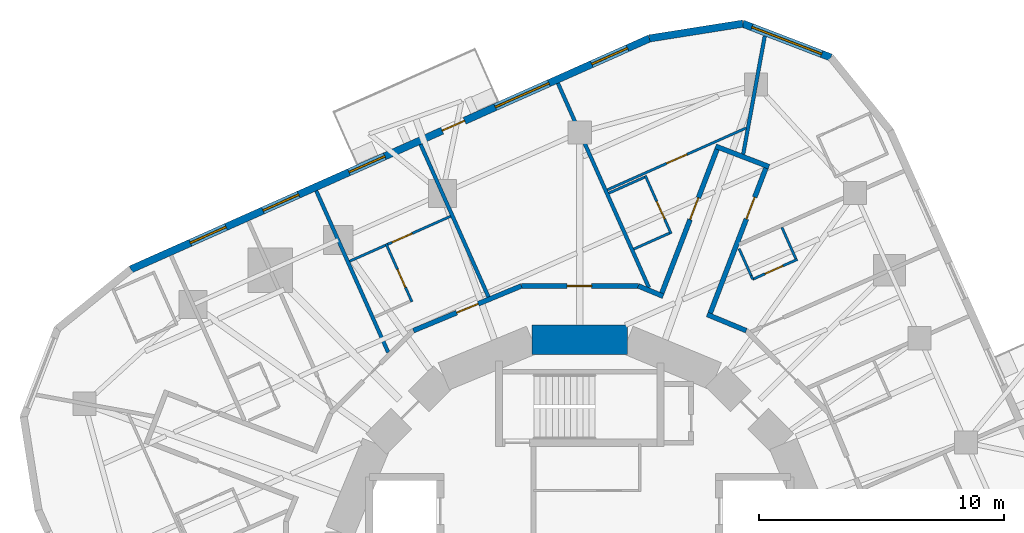
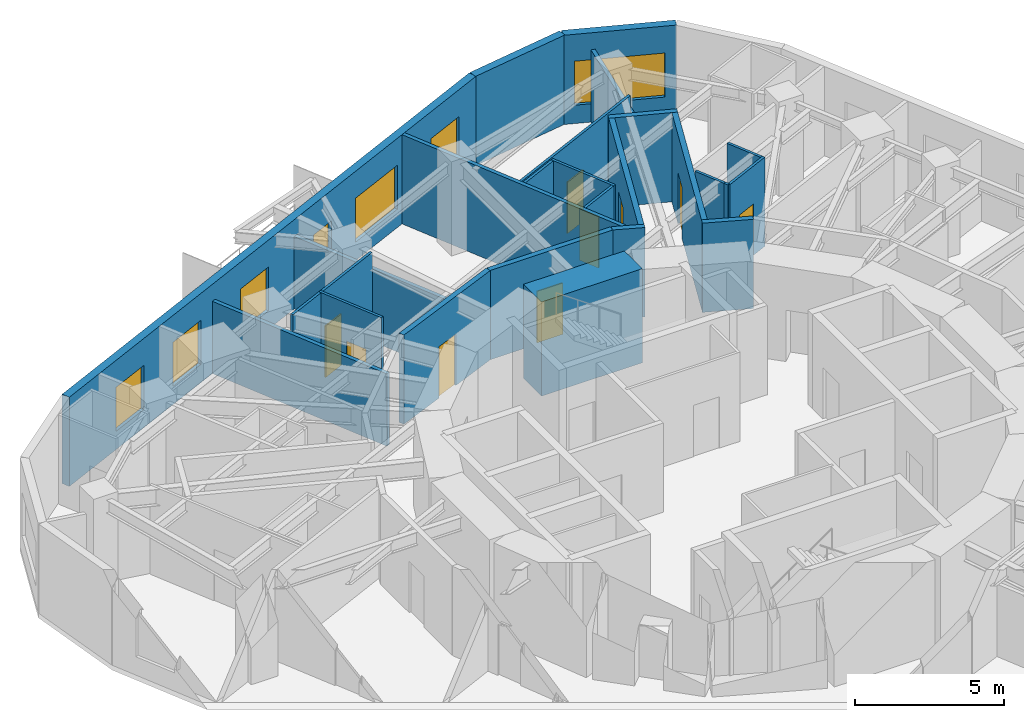
# One storey, part 9 of 12: 26 walls, 10 doors, 6 windows, 16 openings.
"""IFC4 building model written with IfcOpenShell, lengths in metres."""

from ifc_helpers import new_model, si_unit, direction, frame, frame_2d, origin, place, context, subcontext, project, spatial, rectangle, extrude, material, layer, layer_set, type_object, element, fill, save


model = new_model("IFC4")

# Units and contexts
model_context = context("Model", 3, precision=1e-05, world=origin(), true_north=direction((0.0, 1.0)))
body_context = subcontext(model_context, "Body", "Model", "MODEL_VIEW")
ifc_project = project(units=[si_unit("LENGTHUNIT", "METRE"), si_unit("AREAUNIT", "SQUARE_METRE"), si_unit("VOLUMEUNIT", "CUBIC_METRE"), si_unit("PLANEANGLEUNIT", "RADIAN"), si_unit("MASSUNIT", "GRAM", prefix="KILO")], contexts=[model_context])

# Site, building, storey
site_placement = place(None, origin())
site = spatial("IfcSite", under=ifc_project, at=site_placement, CompositionType="ELEMENT")
building_placement = place(site_placement, origin())
building = spatial("IfcBuilding", under=site, at=building_placement, Name="Nakasero Lantern House", CompositionType="ELEMENT")
storey_placement = place(building_placement, frame((0.0, 0.0, 209.39990234375)))
storey = spatial("IfcBuildingStorey", under=building, at=storey_placement, Name="L51", CompositionType="ELEMENT", Elevation=209.39990234375)

# Wall
ifc_material_1 = material(Name="Concrete C50/60", Category="concrete")
ifc_layer_1 = layer(ifc_material_1, 1.199951171875)
ifc_layer_set_1 = layer_set([ifc_layer_1], Name="Core wall 1200")
wall_type_1 = type_object("IfcWallType", Name="Core wall 1200", PredefinedType="SHEAR", material=ifc_layer_set_1)
wall_1_placement = place(storey_placement, frame((1.950927734375, 9.807861328125, 0.0), z_axis=(0.0, 0.0, 1.0), x_axis=(-1.0, 0.0, 0.0)))
element("IfcWall", 1, at=wall_1_placement, inside=storey, type_object=wall_type_1, Name="Core wall L51 facet 4", PredefinedType="SHEAR", context=body_context, shape_type="SweptSolid", body=[
    extrude(rectangle(XDim=3.90185546875, YDim=1.199951171875, at=frame_2d((1.950927734375, 0.0))), origin(), (0.0, 0.0, 1.0), 3.85009765625),
])

# Wall, opening, door
ifc_material_2 = material(Name="Blockwork", Category="masonry")
ifc_layer_2 = layer(ifc_material_2, 0.199951171875)
ifc_layer_set_2 = layer_set([ifc_layer_2], Name="Corridor wall 200")
wall_type_2 = type_object("IfcWallType", Name="Corridor wall 200", PredefinedType="PARTITIONING", material=ifc_layer_set_2)
wall_2_placement = place(storey_placement, frame((-6.802001953125, 10.1796875, 0.0), z_axis=(0.0, 0.0, 1.0), x_axis=(0.923882292998, 0.382676767893, 0.0)))
wall_2 = element("IfcWall", 2, at=wall_2_placement, inside=storey, type_object=wall_type_2, Name="Corridor wall L51 RC11a", PredefinedType="PARTITIONING", context=body_context, shape_type="SweptSolid", body=[
    extrude(rectangle(XDim=4.777099609375, YDim=0.199951171875, at=frame_2d((2.388671875, 0.0))), origin(), (0.0, 0.0, 1.0), 3.650146484375),
])
opening_1_placement = place(wall_2_placement, frame((1.919921875, 0.0, 0.0)))
opening_1 = element("IfcOpeningElement", 3, at=opening_1_placement, cuts=wall_2, Name="Opening D01", PredefinedType="OPENING", context=body_context, shape_type="SweptSolid", body=[
    extrude(rectangle(XDim=0.949951171875, YDim=2.10009765625, at=frame_2d((0.47509765625, 1.050048828125))), frame((0.0, 0.119873046875, 0.0), z_axis=(0.0, -1.0, 0.0), x_axis=(1.0, 0.0, 0.0)), (0.0, 0.0, 1.0), 0.239990234375),
])
ifc_material_3 = material(Name="Timber C24", Category="wood")
door_type_1 = type_object("IfcDoorType", Name="Bedroom door FD30S 950", OperationType="SINGLE_SWING_LEFT", PredefinedType="DOOR", material=ifc_material_3)
door_1_placement = place(opening_1_placement, origin())
door_1 = element("IfcDoor", 4, at=door_1_placement, inside=storey, type_object=door_type_1, Name="Door L51 D1-03", OperationType="SINGLE_SWING_RIGHT", OverallHeight=2.10009765625, OverallWidth=0.949951171875, PredefinedType="DOOR", context=body_context, shape_type="SweptSolid", body=[
    extrude(rectangle(XDim=0.949951171875, YDim=2.10009765625, at=frame_2d((0.47509765625, 1.050048828125))), frame((0.0, 0.02490234375, 0.0), z_axis=(0.0, -1.0, 0.0), x_axis=(1.0, 0.0, 0.0)), (0.0, 0.0, 1.0), 0.050048828125),
])
fill(opening_1, door_1)

wall_3_placement = place(storey_placement, frame((-2.388427734375, 12.0078125, 0.0), z_axis=(0.0, 0.0, 1.0), x_axis=(1.0, 0.0, 0.0)))
wall_3 = element("IfcWall", 5, at=wall_3_placement, inside=storey, type_object=wall_type_2, Name="Corridor wall L51 RC12a", PredefinedType="PARTITIONING", context=body_context, shape_type="SweptSolid", body=[
    extrude(rectangle(XDim=4.77685546875, YDim=0.199951171875, at=frame_2d((2.388427734375, 0.0))), origin(), (0.0, 0.0, 1.0), 3.650146484375),
])
opening_2_placement = place(wall_3_placement, frame((1.8701171875, 0.0, 0.0)))
opening_2 = element("IfcOpeningElement", 6, at=opening_2_placement, cuts=wall_3, Name="Opening D03", PredefinedType="OPENING", context=body_context, shape_type="SweptSolid", body=[
    extrude(rectangle(XDim=1.0, YDim=2.10009765625, at=frame_2d((0.5, 1.050048828125))), frame((0.0, 0.119873046875, 0.0), z_axis=(0.0, -1.0, 0.0), x_axis=(1.0, 0.0, 0.0)), (0.0, 0.0, 1.0), 0.239990234375),
])
ifc_material_4 = material(Name="Timber C24", Category="wood")
door_type_2 = type_object("IfcDoorType", Name="Lounge door FD30S 1000", OperationType="SINGLE_SWING_LEFT", PredefinedType="DOOR", material=ifc_material_4)
door_2_placement = place(opening_2_placement, origin())
door_2 = element("IfcDoor", 7, at=door_2_placement, inside=storey, type_object=door_type_2, Name="Door L51 DK1", OperationType="SINGLE_SWING_LEFT", OverallHeight=2.10009765625, OverallWidth=1.0, PredefinedType="DOOR", context=body_context, shape_type="SweptSolid", body=[
    extrude(rectangle(XDim=1.0, YDim=2.10009765625, at=frame_2d((0.5, 1.050048828125))), frame((0.0, 0.02490234375, 0.0), z_axis=(0.0, -1.0, 0.0), x_axis=(1.0, 0.0, 0.0)), (0.0, 0.0, 1.0), 0.050048828125),
])
fill(opening_2, door_2)

# Walls
wall_4_placement = place(storey_placement, frame((2.388427734375, 12.0078125, 0.0), z_axis=(0.0, 0.0, 1.0), x_axis=(0.923892830031, -0.382651327736, 0.0)))
element("IfcWall", 8, at=wall_4_placement, inside=storey, type_object=wall_type_2, Name="Corridor wall L51 RC13a", PredefinedType="PARTITIONING", context=body_context, shape_type="SweptSolid", body=[
    extrude(rectangle(XDim=1.103759765625, YDim=0.199951171875, at=frame_2d((0.5517578125, 0.0))), origin(), (0.0, 0.0, 1.0), 3.650146484375),
])
wall_5_placement = place(storey_placement, frame((5.201171875, 10.8427734375, 0.0), z_axis=(0.0, 0.0, 1.0), x_axis=(0.923879449244, -0.382683633391, 0.0)))
element("IfcWall", 9, at=wall_5_placement, inside=storey, type_object=wall_type_2, Name="Corridor wall L51 RC13b", PredefinedType="PARTITIONING", context=body_context, shape_type="SweptSolid", body=[
    extrude(rectangle(XDim=1.732666015625, YDim=0.199951171875, at=frame_2d((0.8662109375, 0.0))), origin(), (0.0, 0.0, 1.0), 3.650146484375),
])

# Wall, opening, door
wall_6_placement = place(storey_placement, frame((5.293701171875, 10.804443359375, 0.0), z_axis=(0.0, 0.0, 1.0), x_axis=(0.358353547616, 0.933585954752, 0.0)))
wall_6 = element("IfcWall", 10, at=wall_6_placement, inside=storey, type_object=wall_type_2, Name="Corridor wall L51 SP0a", PredefinedType="PARTITIONING", context=body_context, shape_type="SweptSolid", body=[
    extrude(rectangle(XDim=6.643798828125, YDim=0.199951171875, at=frame_2d((3.32177734375, 0.0))), origin(), (0.0, 0.0, 1.0), 3.650146484375),
])
opening_3_placement = place(wall_6_placement, frame((4.219970703125, 0.0, 0.0)))
opening_3 = element("IfcOpeningElement", 11, at=opening_3_placement, cuts=wall_6, Name="Opening D01", PredefinedType="OPENING", context=body_context, shape_type="SweptSolid", body=[
    extrude(rectangle(XDim=0.949951171875, YDim=2.10009765625, at=frame_2d((0.47509765625, 1.050048828125))), frame((0.0, 0.119873046875, 0.0), z_axis=(0.0, -1.0, 0.0), x_axis=(1.0, 0.0, 0.0)), (0.0, 0.0, 1.0), 0.239990234375),
])
door_3_placement = place(opening_3_placement, origin())
door_3 = element("IfcDoor", 12, at=door_3_placement, inside=storey, type_object=door_type_1, Name="Door L51 D0-06", OperationType="SINGLE_SWING_RIGHT", OverallHeight=2.10009765625, OverallWidth=0.949951171875, PredefinedType="DOOR", context=body_context, shape_type="SweptSolid", body=[
    extrude(rectangle(XDim=0.949951171875, YDim=2.10009765625, at=frame_2d((0.47509765625, 1.050048828125))), frame((0.0, 0.02490234375, 0.0), z_axis=(0.0, -1.0, 0.0), x_axis=(1.0, 0.0, 0.0)), (0.0, 0.0, 1.0), 0.050048828125),
])
fill(opening_3, door_3)

wall_7_placement = place(storey_placement, frame((3.31591796875, 11.623779296875, 0.0), z_axis=(0.0, 0.0, 1.0), x_axis=(0.358370568903, 0.933579421016, 0.0)))
wall_7 = element("IfcWall", 13, at=wall_7_placement, inside=storey, type_object=wall_type_2, Name="Corridor wall L51 SP0b", PredefinedType="PARTITIONING", context=body_context, shape_type="SweptSolid", body=[
    extrude(rectangle(XDim=6.587646484375, YDim=0.199951171875, at=frame_2d((3.2939453125, 0.0))), origin(), (0.0, 0.0, 1.0), 3.650146484375),
])
opening_4_placement = place(wall_7_placement, frame((3.320068359375, 0.0, 0.0)))
opening_4 = element("IfcOpeningElement", 14, at=opening_4_placement, cuts=wall_7, Name="Opening D01", PredefinedType="OPENING", context=body_context, shape_type="SweptSolid", body=[
    extrude(rectangle(XDim=0.949951171875, YDim=2.10009765625, at=frame_2d((0.47509765625, 1.050048828125))), frame((0.0, 0.119873046875, 0.0), z_axis=(0.0, -1.0, 0.0), x_axis=(1.0, 0.0, 0.0)), (0.0, 0.0, 1.0), 0.239990234375),
])
door_4_placement = place(opening_4_placement, origin())
door_4 = element("IfcDoor", 15, at=door_4_placement, inside=storey, type_object=door_type_1, Name="Door L51 D1-00", OperationType="SINGLE_SWING_RIGHT", OverallHeight=2.10009765625, OverallWidth=0.949951171875, PredefinedType="DOOR", context=body_context, shape_type="SweptSolid", body=[
    extrude(rectangle(XDim=0.949951171875, YDim=2.10009765625, at=frame_2d((0.47509765625, 1.050048828125))), frame((0.0, 0.02490234375, 0.0), z_axis=(0.0, -1.0, 0.0), x_axis=(1.0, 0.0, 0.0)), (0.0, 0.0, 1.0), 0.050048828125),
])
fill(opening_4, door_4)

# Wall
wall_8_placement = place(storey_placement, frame((7.73193359375, 16.8779296875, 0.0), z_axis=(0.0, 0.0, 1.0), x_axis=(-0.933573982139, 0.35838473722, 0.0)))
element("IfcWall", 16, at=wall_8_placement, inside=storey, type_object=wall_type_2, Name="Corridor wall L51 SP0e", PredefinedType="PARTITIONING", context=body_context, shape_type="SweptSolid", body=[
    extrude(rectangle(XDim=2.340087890625, YDim=0.199951171875, at=frame_2d((1.169921875, 0.0))), origin(), (0.0, 0.0, 1.0), 3.650146484375),
])

# Wall, opening, door
ifc_material_5 = material(Name="Blockwork", Category="masonry")
ifc_layer_3 = layer(ifc_material_5, 0.10009765625)
ifc_layer_set_3 = layer_set([ifc_layer_3], Name="En-suite wall 100")
wall_type_3 = type_object("IfcWallType", Name="En-suite wall 100", PredefinedType="PARTITIONING", material=ifc_layer_set_3)
wall_9_placement = place(storey_placement, frame((7.0654296875, 12.280029296875, 0.0), z_axis=(0.0, 0.0, 1.0), x_axis=(0.913529410294, 0.406772684097, 0.0)))
wall_9 = element("IfcWall", 17, at=wall_9_placement, inside=storey, type_object=wall_type_3, Name="En-suite wall L51 ES0-05", PredefinedType="PARTITIONING", context=body_context, shape_type="SweptSolid", body=[
    extrude(rectangle(XDim=1.999755859375, YDim=0.10009765625, at=frame_2d((1.0, 0.0))), origin(), (0.0, 0.0, 1.0), 3.650146484375),
])
opening_5_placement = place(wall_9_placement, frame((0.550048828125, 0.0, 0.0)))
opening_5 = element("IfcOpeningElement", 18, at=opening_5_placement, cuts=wall_9, Name="Opening D02", PredefinedType="OPENING", context=body_context, shape_type="SweptSolid", body=[
    extrude(rectangle(XDim=0.800048828125, YDim=2.10009765625, at=frame_2d((0.39990234375, 1.050048828125))), frame((0.0, 0.070068359375, 0.0), z_axis=(0.0, -1.0, 0.0), x_axis=(1.0, 0.0, 0.0)), (0.0, 0.0, 1.0), 0.14013671875),
])
ifc_material_6 = material(Name="Timber C24", Category="wood")
door_type_3 = type_object("IfcDoorType", Name="En-suite door 800", OperationType="SINGLE_SWING_RIGHT", PredefinedType="DOOR", material=ifc_material_6)
door_5_placement = place(opening_5_placement, origin())
door_5 = element("IfcDoor", 19, at=door_5_placement, inside=storey, type_object=door_type_3, Name="Door L51 DE0-05", OperationType="SINGLE_SWING_LEFT", OverallHeight=2.10009765625, OverallWidth=0.800048828125, PredefinedType="DOOR", context=body_context, shape_type="SweptSolid", body=[
    extrude(rectangle(XDim=0.800048828125, YDim=2.10009765625, at=frame_2d((0.39990234375, 1.050048828125))), frame((0.0, 0.02490234375, 0.0), z_axis=(0.0, -1.0, 0.0), x_axis=(1.0, 0.0, 0.0)), (0.0, 0.0, 1.0), 0.050048828125),
])
fill(opening_5, door_5)

# Wall
wall_10_placement = place(storey_placement, frame((8.826416015625, 13.118896484375, 0.0), z_axis=(0.0, 0.0, 1.0), x_axis=(-0.406656150203, 0.91358129113, 0.0)))
element("IfcWall", 20, at=wall_10_placement, inside=storey, type_object=wall_type_3, Name="En-suite wall L51 EE0-05", PredefinedType="PARTITIONING", context=body_context, shape_type="SweptSolid", body=[
    extrude(rectangle(XDim=1.400146484375, YDim=0.10009765625, at=frame_2d((0.7001953125, 0.0))), origin(), (0.0, 0.0, 1.0), 3.650146484375),
])

# Wall, opening, door
wall_11_placement = place(storey_placement, frame((3.731689453125, 14.14013671875, 0.0), z_axis=(0.0, 0.0, 1.0), x_axis=(-0.406765646974, 0.913532543723, 0.0)))
wall_11 = element("IfcWall", 21, at=wall_11_placement, inside=storey, type_object=wall_type_3, Name="En-suite wall L51 ES1-00", PredefinedType="PARTITIONING", context=body_context, shape_type="SweptSolid", body=[
    extrude(rectangle(XDim=2.60009765625, YDim=0.10009765625, at=frame_2d((1.300048828125, 0.0))), origin(), (0.0, 0.0, 1.0), 3.650146484375),
])
opening_6_placement = place(wall_11_placement, frame((0.64990234375, 0.0, 0.0)))
opening_6 = element("IfcOpeningElement", 22, at=opening_6_placement, cuts=wall_11, Name="Opening D02", PredefinedType="OPENING", context=body_context, shape_type="SweptSolid", body=[
    extrude(rectangle(XDim=0.800048828125, YDim=2.10009765625, at=frame_2d((0.39990234375, 1.050048828125))), frame((0.0, 0.070068359375, 0.0), z_axis=(0.0, -1.0, 0.0), x_axis=(1.0, 0.0, 0.0)), (0.0, 0.0, 1.0), 0.14013671875),
])
door_6_placement = place(opening_6_placement, origin())
door_6 = element("IfcDoor", 23, at=door_6_placement, inside=storey, type_object=door_type_3, Name="Door L51 DE1-00", OperationType="SINGLE_SWING_LEFT", OverallHeight=2.10009765625, OverallWidth=0.800048828125, PredefinedType="DOOR", context=body_context, shape_type="SweptSolid", body=[
    extrude(rectangle(XDim=0.800048828125, YDim=2.10009765625, at=frame_2d((0.39990234375, 1.050048828125))), frame((0.0, 0.02490234375, 0.0), z_axis=(0.0, -1.0, 0.0), x_axis=(1.0, 0.0, 0.0)), (0.0, 0.0, 1.0), 0.050048828125),
])
fill(opening_6, door_6)

# Walls
wall_12_placement = place(storey_placement, frame((2.648681640625, 16.449462890625, 0.0), z_axis=(0.0, 0.0, 1.0), x_axis=(-0.913521878409, -0.40678959877, 0.0)))
element("IfcWall", 24, at=wall_12_placement, inside=storey, type_object=wall_type_3, Name="En-suite wall L51 EE1-00", PredefinedType="PARTITIONING", context=body_context, shape_type="SweptSolid", body=[
    extrude(rectangle(XDim=1.60009765625, YDim=0.10009765625, at=frame_2d((0.800048828125, 0.0))), origin(), (0.0, 0.0, 1.0), 3.650146484375),
])
wall_13_placement = place(storey_placement, frame((3.66552734375, 14.16552734375, 0.0), z_axis=(0.0, 0.0, 1.0), x_axis=(-0.913578575067, -0.406662251972, 0.0)))
element("IfcWall", 25, at=wall_13_placement, inside=storey, type_object=wall_type_3, Name="En-suite wall L51 EI1-00", PredefinedType="PARTITIONING", context=body_context, shape_type="SweptSolid", body=[
    extrude(rectangle(XDim=1.599853515625, YDim=0.10009765625, at=frame_2d((0.7998046875, 0.0))), origin(), (0.0, 0.0, 1.0), 3.650146484375),
])

# Wall, opening, door
wall_14_placement = place(storey_placement, frame((-6.8603515625, 11.3583984375, 0.0), z_axis=(0.0, 0.0, 1.0), x_axis=(-0.406765646974, 0.913532543723, 0.0)))
wall_14 = element("IfcWall", 26, at=wall_14_placement, inside=storey, type_object=wall_type_3, Name="En-suite wall L51 ES1-03", PredefinedType="PARTITIONING", context=body_context, shape_type="SweptSolid", body=[
    extrude(rectangle(XDim=2.60009765625, YDim=0.10009765625, at=frame_2d((1.300048828125, 0.0))), origin(), (0.0, 0.0, 1.0), 3.650146484375),
])
opening_7_placement = place(wall_14_placement, frame((0.64990234375, 0.0, 0.0)))
opening_7 = element("IfcOpeningElement", 27, at=opening_7_placement, cuts=wall_14, Name="Opening D02", PredefinedType="OPENING", context=body_context, shape_type="SweptSolid", body=[
    extrude(rectangle(XDim=0.800048828125, YDim=2.10009765625, at=frame_2d((0.39990234375, 1.050048828125))), frame((0.0, 0.070068359375, 0.0), z_axis=(0.0, -1.0, 0.0), x_axis=(1.0, 0.0, 0.0)), (0.0, 0.0, 1.0), 0.14013671875),
])
door_7_placement = place(opening_7_placement, origin())
door_7 = element("IfcDoor", 28, at=door_7_placement, inside=storey, type_object=door_type_3, Name="Door L51 DE1-03", OperationType="SINGLE_SWING_LEFT", OverallHeight=2.10009765625, OverallWidth=0.800048828125, PredefinedType="DOOR", context=body_context, shape_type="SweptSolid", body=[
    extrude(rectangle(XDim=0.800048828125, YDim=2.10009765625, at=frame_2d((0.39990234375, 1.050048828125))), frame((0.0, 0.02490234375, 0.0), z_axis=(0.0, -1.0, 0.0), x_axis=(1.0, 0.0, 0.0)), (0.0, 0.0, 1.0), 0.050048828125),
])
fill(opening_7, door_7)

# Wall
wall_15_placement = place(storey_placement, frame((-7.943359375, 13.66748046875, 0.0), z_axis=(0.0, 0.0, 1.0), x_axis=(-0.913578575067, -0.406662251972, 0.0)))
element("IfcWall", 29, at=wall_15_placement, inside=storey, type_object=wall_type_3, Name="En-suite wall L51 EE1-03", PredefinedType="PARTITIONING", context=body_context, shape_type="SweptSolid", body=[
    extrude(rectangle(XDim=1.599853515625, YDim=0.10009765625, at=frame_2d((0.7998046875, 0.0))), origin(), (0.0, 0.0, 1.0), 3.650146484375),
])

# Wall, opening, door
wall_16_placement = place(storey_placement, frame((6.79443359375, 18.45947265625, 0.0), z_axis=(0.0, 0.0, 1.0), x_axis=(-0.9135501304, -0.406726147728, 0.0)))
wall_16 = element("IfcWall", 30, at=wall_16_placement, inside=storey, type_object=wall_type_3, Name="En-suite wall L51 EL1-00", PredefinedType="PARTITIONING", context=body_context, shape_type="SweptSolid", body=[
    extrude(rectangle(XDim=6.204833984375, YDim=0.10009765625, at=frame_2d((3.1025390625, 0.0))), origin(), (0.0, 0.0, 1.0), 3.650146484375),
])
opening_8_placement = place(wall_16_placement, frame((2.65234375, 0.0, 0.0)))
opening_8 = element("IfcOpeningElement", 31, at=opening_8_placement, cuts=wall_16, Name="Opening D17", PredefinedType="OPENING", context=body_context, shape_type="SweptSolid", body=[
    extrude(rectangle(XDim=0.89990234375, YDim=2.10009765625, at=frame_2d((0.449951171875, 1.050048828125))), frame((0.0, 0.070068359375, 0.0), z_axis=(0.0, -1.0, 0.0), x_axis=(1.0, 0.0, 0.0)), (0.0, 0.0, 1.0), 0.14013671875),
])
ifc_material_7 = material(Name="Timber C24", Category="wood")
door_type_4 = type_object("IfcDoorType", Name="Bedroom door FD30S 900", OperationType="SINGLE_SWING_LEFT", PredefinedType="DOOR", material=ifc_material_7)
door_8_placement = place(opening_8_placement, origin())
door_8 = element("IfcDoor", 32, at=door_8_placement, inside=storey, type_object=door_type_4, Name="Door L51 DL1-00", OperationType="SINGLE_SWING_LEFT", OverallHeight=2.10009765625, OverallWidth=0.89990234375, PredefinedType="DOOR", context=body_context, shape_type="SweptSolid", body=[
    extrude(rectangle(XDim=0.89990234375, YDim=2.10009765625, at=frame_2d((0.449951171875, 1.050048828125))), frame((0.0, 0.02490234375, 0.0), z_axis=(0.0, -1.0, 0.0), x_axis=(1.0, 0.0, 0.0)), (0.0, 0.0, 1.0), 0.050048828125),
])
fill(opening_8, door_8)

wall_17_placement = place(storey_placement, frame((-5.280029296875, 14.853271484375, 0.0), z_axis=(0.0, 0.0, 1.0), x_axis=(-0.913561058639, -0.406701600856, 0.0)))
wall_17 = element("IfcWall", 33, at=wall_17_placement, inside=storey, type_object=wall_type_3, Name="En-suite wall L51 EL1-03", PredefinedType="PARTITIONING", context=body_context, shape_type="SweptSolid", body=[
    extrude(rectangle(XDim=2.8154296875, YDim=0.10009765625, at=frame_2d((1.40771484375, 0.0))), origin(), (0.0, 0.0, 1.0), 3.650146484375),
])
opening_9_placement = place(wall_17_placement, frame((1.71533203125, 0.0, 0.0)))
opening_9 = element("IfcOpeningElement", 34, at=opening_9_placement, cuts=wall_17, Name="Opening D17", PredefinedType="OPENING", context=body_context, shape_type="SweptSolid", body=[
    extrude(rectangle(XDim=0.89990234375, YDim=2.10009765625, at=frame_2d((0.449951171875, 1.050048828125))), frame((0.0, 0.070068359375, 0.0), z_axis=(0.0, -1.0, 0.0), x_axis=(1.0, 0.0, 0.0)), (0.0, 0.0, 1.0), 0.14013671875),
])
door_9_placement = place(opening_9_placement, origin())
door_9 = element("IfcDoor", 35, at=door_9_placement, inside=storey, type_object=door_type_4, Name="Door L51 DL1-03", OperationType="SINGLE_SWING_RIGHT", OverallHeight=2.10009765625, OverallWidth=0.89990234375, PredefinedType="DOOR", context=body_context, shape_type="SweptSolid", body=[
    extrude(rectangle(XDim=0.89990234375, YDim=2.10009765625, at=frame_2d((0.449951171875, 1.050048828125))), frame((0.0, 0.02490234375, 0.0), z_axis=(0.0, -1.0, 0.0), x_axis=(1.0, 0.0, 0.0)), (0.0, 0.0, 1.0), 0.050048828125),
])
fill(opening_9, door_9)

# Walls
wall_18_placement = place(storey_placement, frame((6.510009765625, 13.527099609375, 0.0), z_axis=(0.0, 0.0, 1.0), x_axis=(0.406815070933, -0.913510535277, 0.0)))
element("IfcWall", 36, at=wall_18_placement, inside=storey, type_object=wall_type_3, Name="En-suite wall L51 EX000", PredefinedType="PARTITIONING", context=body_context, shape_type="SweptSolid", body=[
    extrude(rectangle(XDim=1.205078125, YDim=0.10009765625, at=frame_2d((0.6025390625, 0.0))), origin(), (0.0, 0.0, 1.0), 3.650146484375),
])
wall_19_placement = place(storey_placement, frame((7.0654296875, 12.280029296875, 0.0), z_axis=(0.0, 0.0, 1.0), x_axis=(-0.407128578538, 0.913370855971, 0.0)))
element("IfcWall", 37, at=wall_19_placement, inside=storey, type_object=wall_type_3, Name="En-suite wall L51 ES0-05R0", PredefinedType="PARTITIONING", context=body_context, shape_type="SweptSolid", body=[
    extrude(rectangle(XDim=0.16015625, YDim=0.10009765625, at=frame_2d((0.080078125, 0.0))), origin(), (0.0, 0.0, 1.0), 3.650146484375),
])

# Wall, opening, window
ifc_material_8 = material(Name="Aluminium rainscreen on blockwork", Category="masonry")
ifc_layer_4 = layer(ifc_material_8, 0.300048828125)
ifc_layer_set_4 = layer_set([ifc_layer_4], Name="Facade wall 300")
wall_type_4 = type_object("IfcWallType", Name="Facade wall 300", PredefinedType="SOLIDWALL", material=ifc_layer_set_4)
wall_20_placement = place(storey_placement, frame((10.258056640625, 21.342529296875, 0.0), z_axis=(0.0, 0.0, 1.0), x_axis=(-0.933598278948, 0.358321438858, 0.0)))
wall_20 = element("IfcWall", 38, at=wall_20_placement, inside=storey, type_object=wall_type_4, Name="Facade wall L51 FW0C2", PredefinedType="SOLIDWALL", context=body_context, shape_type="SweptSolid", body=[
    extrude(rectangle(XDim=3.8564453125, YDim=0.300048828125, at=frame_2d((1.92822265625, 0.0))), origin(), (0.0, 0.0, 1.0), 3.650146484375),
])
opening_10_placement = place(wall_20_placement, frame((0.39990234375, 0.0, 0.75)))
opening_10 = element("IfcOpeningElement", 39, at=opening_10_placement, cuts=wall_20, Name="Opening W230", PredefinedType="OPENING", context=body_context, shape_type="SweptSolid", body=[
    extrude(rectangle(XDim=3.055908203125, YDim=1.800048828125, at=frame_2d((1.52783203125, 0.89990234375))), frame((0.0, 0.169921875, 0.0), z_axis=(0.0, -1.0, 0.0), x_axis=(1.0, 0.0, 0.0)), (0.0, 0.0, 1.0), 0.340087890625),
])
ifc_material_9 = material(Name="Aluminium 6063-T6 and glass", Category="aluminium")
window_type_1 = type_object("IfcWindowType", Name="Corner window 3056x1800", PartitioningType="SINGLE_PANEL", PredefinedType="WINDOW", material=ifc_material_9)
window_1_placement = place(opening_10_placement, origin())
window_1 = element("IfcWindow", 40, at=window_1_placement, inside=storey, type_object=window_type_1, Name="Window L51 WC0", OverallHeight=1.800048828125, OverallWidth=3.055908203125, PartitioningType="SINGLE_PANEL", PredefinedType="WINDOW", context=body_context, shape_type="SweptSolid", body=[
    extrude(rectangle(XDim=3.055908203125, YDim=1.800048828125, at=frame_2d((1.52783203125, 0.89990234375))), frame((0.0, 0.030029296875, 0.0), z_axis=(0.0, -1.0, 0.0), x_axis=(1.0, 0.0, 0.0)), (0.0, 0.0, 1.0), 0.06005859375),
])
fill(opening_10, window_1)

# Wall
wall_21_placement = place(storey_placement, frame((6.65771484375, 22.724365234375, 0.0), z_axis=(0.0, 0.0, 1.0), x_axis=(-0.987687906802, -0.156437203878, 0.0)))
element("IfcWall", 41, at=wall_21_placement, inside=storey, type_object=wall_type_4, Name="Facade wall L51 FW0C3", PredefinedType="SOLIDWALL", context=body_context, shape_type="SweptSolid", body=[
    extrude(rectangle(XDim=3.856201171875, YDim=0.300048828125, at=frame_2d((1.92822265625, 0.0))), origin(), (0.0, 0.0, 1.0), 3.650146484375),
])

# Wall, openings, door, windows
wall_22_placement = place(storey_placement, frame((2.848876953125, 22.12109375, 0.0), z_axis=(0.0, 0.0, 1.0), x_axis=(-0.913546210851, -0.406734951338, 0.0)))
wall_22 = element("IfcWall", 42, at=wall_22_placement, inside=storey, type_object=wall_type_4, Name="Facade wall L51 FW1S", PredefinedType="SOLIDWALL", context=body_context, shape_type="SweptSolid", body=[
    extrude(rectangle(XDim=23.199951171875, YDim=0.300048828125, at=frame_2d((11.60009765625, 0.0))), origin(), (0.0, 0.0, 1.0), 3.650146484375),
])
opening_11_placement = place(wall_22_placement, frame((0.982421875, 0.0, 0.75)))
opening_11 = element("IfcOpeningElement", 43, at=opening_11_placement, cuts=wall_22, Name="Opening W01", PredefinedType="OPENING", context=body_context, shape_type="SweptSolid", body=[
    extrude(rectangle(XDim=1.60009765625, YDim=1.800048828125, at=frame_2d((0.800048828125, 0.89990234375))), frame((0.0, 0.169921875, 0.0), z_axis=(0.0, -1.0, 0.0), x_axis=(1.0, 0.0, 0.0)), (0.0, 0.0, 1.0), 0.340087890625),
])
opening_12_placement = place(wall_22_placement, frame((11.83984375, 0.0, 0.75)))
opening_12 = element("IfcOpeningElement", 44, at=opening_12_placement, cuts=wall_22, Name="Opening W01", PredefinedType="OPENING", context=body_context, shape_type="SweptSolid", body=[
    extrude(rectangle(XDim=1.60009765625, YDim=1.800048828125, at=frame_2d((0.800048828125, 0.89990234375))), frame((0.0, 0.169921875, 0.0), z_axis=(0.0, -1.0, 0.0), x_axis=(1.0, 0.0, 0.0)), (0.0, 0.0, 1.0), 0.340087890625),
])
opening_13_placement = place(wall_22_placement, frame((15.69140625, 0.0, 0.75)))
opening_13 = element("IfcOpeningElement", 45, at=opening_13_placement, cuts=wall_22, Name="Opening W01", PredefinedType="OPENING", context=body_context, shape_type="SweptSolid", body=[
    extrude(rectangle(XDim=1.60009765625, YDim=1.800048828125, at=frame_2d((0.800048828125, 0.89990234375))), frame((0.0, 0.169921875, 0.0), z_axis=(0.0, -1.0, 0.0), x_axis=(1.0, 0.0, 0.0)), (0.0, 0.0, 1.0), 0.340087890625),
])
opening_14_placement = place(wall_22_placement, frame((18.940185546875, 0.0, 0.75)))
opening_14 = element("IfcOpeningElement", 46, at=opening_14_placement, cuts=wall_22, Name="Opening W01", PredefinedType="OPENING", context=body_context, shape_type="SweptSolid", body=[
    extrude(rectangle(XDim=1.60009765625, YDim=1.800048828125, at=frame_2d((0.800048828125, 0.89990234375))), frame((0.0, 0.169921875, 0.0), z_axis=(0.0, -1.0, 0.0), x_axis=(1.0, 0.0, 0.0)), (0.0, 0.0, 1.0), 0.340087890625),
])
opening_15_placement = place(wall_22_placement, frame((4.500244140625, 0.0, 0.75)))
opening_15 = element("IfcOpeningElement", 47, at=opening_15_placement, cuts=wall_22, Name="Opening W03", PredefinedType="OPENING", context=body_context, shape_type="SweptSolid", body=[
    extrude(rectangle(XDim=2.39990234375, YDim=1.800048828125, at=frame_2d((1.199951171875, 0.89990234375))), frame((0.0, 0.169921875, 0.0), z_axis=(0.0, -1.0, 0.0), x_axis=(1.0, 0.0, 0.0)), (0.0, 0.0, 1.0), 0.340087890625),
])
opening_16_placement = place(wall_22_placement, frame((8.271484375, 0.0, 0.0)))
opening_16 = element("IfcOpeningElement", 48, at=opening_16_placement, cuts=wall_22, Name="Opening D04", PredefinedType="OPENING", context=body_context, shape_type="SweptSolid", body=[
    extrude(rectangle(XDim=1.0, YDim=2.39990234375, at=frame_2d((0.5, 1.199951171875))), frame((0.0, 0.169921875, 0.0), z_axis=(0.0, -1.0, 0.0), x_axis=(1.0, 0.0, 0.0)), (0.0, 0.0, 1.0), 0.340087890625),
])
ifc_material_10 = material(Name="Aluminium 6063-T6 and glass", Category="aluminium")
door_type_5 = type_object("IfcDoorType", Name="Balcony door 1000x2400", OperationType="SINGLE_SWING_RIGHT", PredefinedType="DOOR", material=ifc_material_10)
door_10_placement = place(opening_16_placement, origin())
door_10 = element("IfcDoor", 49, at=door_10_placement, inside=storey, type_object=door_type_5, Name="Balcony door L51 DB1", OperationType="SINGLE_SWING_RIGHT", OverallHeight=2.39990234375, OverallWidth=1.0, PredefinedType="DOOR", context=body_context, shape_type="SweptSolid", body=[
    extrude(rectangle(XDim=1.0, YDim=2.39990234375, at=frame_2d((0.5, 1.199951171875))), frame((0.0, 0.02490234375, 0.0), z_axis=(0.0, -1.0, 0.0), x_axis=(1.0, 0.0, 0.0)), (0.0, 0.0, 1.0), 0.050048828125),
])
fill(opening_16, door_10)
ifc_material_11 = material(Name="Aluminium 6063-T6 and glass", Category="aluminium")
window_type_2 = type_object("IfcWindowType", Name="Bedroom window 1600x1800", PartitioningType="SINGLE_PANEL", PredefinedType="WINDOW", material=ifc_material_11)
window_2_placement = place(opening_11_placement, origin())
window_2 = element("IfcWindow", 50, at=window_2_placement, inside=storey, type_object=window_type_2, Name="Window L51 WN1-00", OverallHeight=1.800048828125, OverallWidth=1.60009765625, PartitioningType="SINGLE_PANEL", PredefinedType="WINDOW", context=body_context, shape_type="SweptSolid", body=[
    extrude(rectangle(XDim=1.60009765625, YDim=1.800048828125, at=frame_2d((0.800048828125, 0.89990234375))), frame((0.0, 0.030029296875, 0.0), z_axis=(0.0, -1.0, 0.0), x_axis=(1.0, 0.0, 0.0)), (0.0, 0.0, 1.0), 0.06005859375),
])
fill(opening_11, window_2)
window_3_placement = place(opening_12_placement, origin())
window_3 = element("IfcWindow", 51, at=window_3_placement, inside=storey, type_object=window_type_2, Name="Window L51 WN1-03", OverallHeight=1.800048828125, OverallWidth=1.60009765625, PartitioningType="SINGLE_PANEL", PredefinedType="WINDOW", context=body_context, shape_type="SweptSolid", body=[
    extrude(rectangle(XDim=1.60009765625, YDim=1.800048828125, at=frame_2d((0.800048828125, 0.89990234375))), frame((0.0, 0.030029296875, 0.0), z_axis=(0.0, -1.0, 0.0), x_axis=(1.0, 0.0, 0.0)), (0.0, 0.0, 1.0), 0.06005859375),
])
fill(opening_12, window_3)
window_4_placement = place(opening_13_placement, origin())
window_4 = element("IfcWindow", 52, at=window_4_placement, inside=storey, type_object=window_type_2, Name="Window L51 WN1-04", OverallHeight=1.800048828125, OverallWidth=1.60009765625, PartitioningType="SINGLE_PANEL", PredefinedType="WINDOW", context=body_context, shape_type="SweptSolid", body=[
    extrude(rectangle(XDim=1.60009765625, YDim=1.800048828125, at=frame_2d((0.800048828125, 0.89990234375))), frame((0.0, 0.030029296875, 0.0), z_axis=(0.0, -1.0, 0.0), x_axis=(1.0, 0.0, 0.0)), (0.0, 0.0, 1.0), 0.06005859375),
])
fill(opening_13, window_4)
window_5_placement = place(opening_14_placement, origin())
window_5 = element("IfcWindow", 53, at=window_5_placement, inside=storey, type_object=window_type_2, Name="Window L51 WN1-05", OverallHeight=1.800048828125, OverallWidth=1.60009765625, PartitioningType="SINGLE_PANEL", PredefinedType="WINDOW", context=body_context, shape_type="SweptSolid", body=[
    extrude(rectangle(XDim=1.60009765625, YDim=1.800048828125, at=frame_2d((0.800048828125, 0.89990234375))), frame((0.0, 0.030029296875, 0.0), z_axis=(0.0, -1.0, 0.0), x_axis=(1.0, 0.0, 0.0)), (0.0, 0.0, 1.0), 0.06005859375),
])
fill(opening_14, window_5)
ifc_material_12 = material(Name="Aluminium 6063-T6 and glass", Category="aluminium")
window_type_3 = type_object("IfcWindowType", Name="Lounge window 2400x1800", PartitioningType="SINGLE_PANEL", PredefinedType="WINDOW", material=ifc_material_12)
window_6_placement = place(opening_15_placement, origin())
window_6 = element("IfcWindow", 54, at=window_6_placement, inside=storey, type_object=window_type_3, Name="Window L51 WK1", OverallHeight=1.800048828125, OverallWidth=2.39990234375, PartitioningType="SINGLE_PANEL", PredefinedType="WINDOW", context=body_context, shape_type="SweptSolid", body=[
    extrude(rectangle(XDim=2.39990234375, YDim=1.800048828125, at=frame_2d((1.199951171875, 0.89990234375))), frame((0.0, 0.030029296875, 0.0), z_axis=(0.0, -1.0, 0.0), x_axis=(1.0, 0.0, 0.0)), (0.0, 0.0, 1.0), 0.06005859375),
])
fill(opening_15, window_6)

# Walls
ifc_material_13 = material(Name="Blockwork", Category="masonry")
ifc_layer_5 = layer(ifc_material_13, 0.14990234375)
ifc_layer_set_5 = layer_set([ifc_layer_5], Name="Party wall 150")
wall_type_5 = type_object("IfcWallType", Name="Party wall 150", PredefinedType="PARTITIONING", material=ifc_layer_set_5)
wall_23_placement = place(storey_placement, frame((6.675537109375, 17.390625, 0.0), z_axis=(0.0, 0.0, 1.0), x_axis=(0.179569012156, 0.983745378578, 0.0)))
element("IfcWall", 55, at=wall_23_placement, inside=storey, type_object=wall_type_5, Name="Party wall L51 PW1-00", PredefinedType="PARTITIONING", context=body_context, shape_type="SweptSolid", body=[
    extrude(rectangle(XDim=4.902587890625, YDim=0.14990234375, at=frame_2d((2.451171875, 0.0))), origin(), (0.0, 0.0, 1.0), 2.966552734375),
])
wall_24_placement = place(storey_placement, frame((2.824951171875, 11.935302734375, 0.0), z_axis=(0.0, 0.0, 1.0), x_axis=(-0.40672291788, 0.91355156837, 0.0)))
element("IfcWall", 56, at=wall_24_placement, inside=storey, type_object=wall_type_5, Name="Party wall L51 PW1-01", PredefinedType="PARTITIONING", context=body_context, shape_type="SweptSolid", body=[
    extrude(rectangle(XDim=9.1455078125, YDim=0.14990234375, at=frame_2d((4.57275390625, 0.0))), origin(), (0.0, 0.0, 1.0), 3.650146484375),
])
wall_25_placement = place(storey_placement, frame((-3.7314453125, 11.559814453125, 0.0), z_axis=(0.0, 0.0, 1.0), x_axis=(-0.406739408224, 0.913544226514, 0.0)))
element("IfcWall", 57, at=wall_25_placement, inside=storey, type_object=wall_type_5, Name="Party wall L51 PW1-03", PredefinedType="PARTITIONING", context=body_context, shape_type="SweptSolid", body=[
    extrude(rectangle(XDim=6.82177734375, YDim=0.14990234375, at=frame_2d((3.410888671875, 0.0))), origin(), (0.0, 0.0, 1.0), 2.966552734375),
])
wall_26_placement = place(storey_placement, frame((-7.829345703125, 9.293701171875, 0.0), z_axis=(0.0, 0.0, 1.0), x_axis=(-0.406759125496, 0.913535447493, 0.0)))
element("IfcWall", 58, at=wall_26_placement, inside=storey, type_object=wall_type_5, Name="Party wall L51 PW1-04", PredefinedType="PARTITIONING", context=body_context, shape_type="SweptSolid", body=[
    extrude(rectangle(XDim=7.225341796875, YDim=0.14990234375, at=frame_2d((3.61279296875, 0.0))), origin(), (0.0, 0.0, 1.0), 2.957275390625),
])

save(model, "model.ifc")
